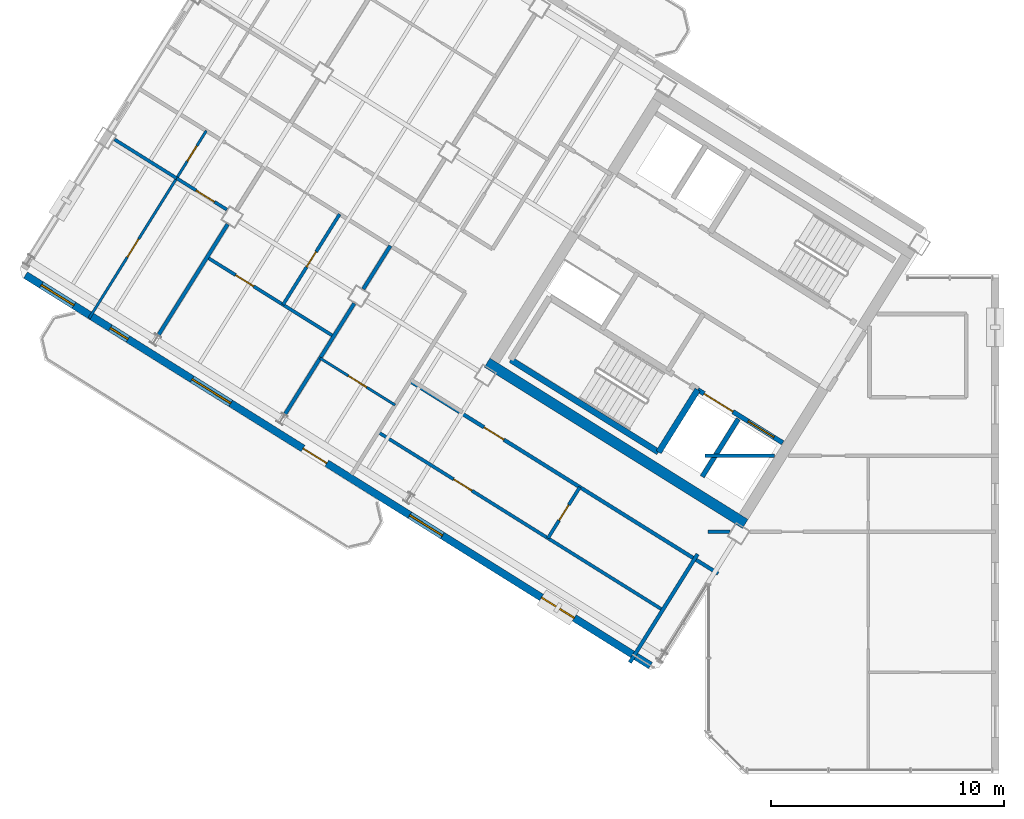
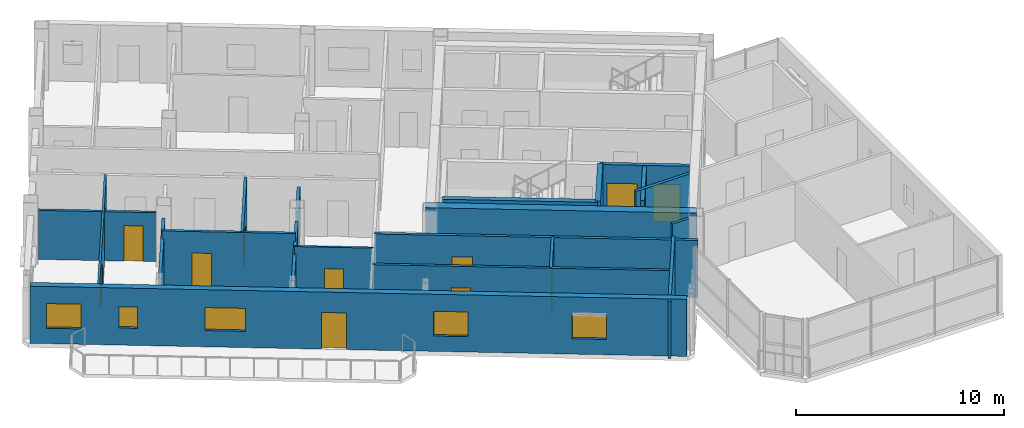
# One storey, part 8 of 15: 21 walls, 12 doors, 5 windows, 17 openings.
"""IFC4 building model written with IfcOpenShell, lengths in metres."""

from ifc_helpers import new_model, si_unit, direction, frame, frame_2d, origin, place, context, subcontext, project, spatial, rectangle, extrude, source, transform, mapped, material, layer, layer_set, type_object, element, fill, save


model = new_model("IFC4")

# Units and contexts
model_context = context("Model", 3, precision=1e-05, world=origin(), true_north=direction((0.0, 1.0)))
body_context = subcontext(model_context, "Body", "Model", "MODEL_VIEW")
ifc_project = project(units=[si_unit("LENGTHUNIT", "METRE"), si_unit("AREAUNIT", "SQUARE_METRE"), si_unit("VOLUMEUNIT", "CUBIC_METRE"), si_unit("PLANEANGLEUNIT", "RADIAN"), si_unit("MASSUNIT", "GRAM", prefix="KILO")], contexts=[model_context])

# Site, building, storey
site_placement = place(None, origin())
site = spatial("IfcSite", under=ifc_project, at=site_placement, CompositionType="ELEMENT")
building_placement = place(site_placement, origin())
building = spatial("IfcBuilding", under=site, at=building_placement, Name="Tlacorven Tower", CompositionType="ELEMENT")
storey_placement = place(building_placement, frame((0.0, 0.0, 266.39990234375)))
storey = spatial("IfcBuildingStorey", under=building, at=storey_placement, Name="L67", CompositionType="ELEMENT", Elevation=266.39990234375)

# Walls
ifc_material_1 = material(Name="Concrete C50/60", Category="concrete")
ifc_layer_1 = layer(ifc_material_1, 0.449951171875)
ifc_layer_set_1 = layer_set([ifc_layer_1], Name="Concrete C50/60")
wall_type_1 = type_object("IfcWallType", Name="WL-COR-450", PredefinedType="SHEAR", material=ifc_layer_set_1)
wall_1_placement = place(storey_placement, frame((33.32373046875, 12.5029296875, 0.0), z_axis=(0.0, 0.0, 1.0), x_axis=(-0.848043529849, 0.529926571782, 0.0)))
element("IfcWall", 1, at=wall_1_placement, inside=storey, type_object=wall_type_1, Name="L67 W core shear wall S2", PredefinedType="SHEAR", context=body_context, shape_type="SweptSolid", body=[
    extrude(rectangle(XDim=13.039794921875, YDim=0.449951171875, at=frame_2d((6.52001953125, 0.0))), origin(), (0.0, 0.0, 1.0), 3.35009765625),
])
ifc_material_2 = material(Name="Gypsum plasterboard acoustic partition", Category="gypsum")
ifc_layer_2 = layer(ifc_material_2, 0.159912109375)
ifc_layer_set_2 = layer_set([ifc_layer_2], Name="Gypsum plasterboard acoustic partition")
wall_type_2 = type_object("IfcWallType", Name="WL-DEM-160", PredefinedType="PARTITIONING", material=ifc_layer_set_2)
wall_2_placement = place(storey_placement, frame((18.114990234375, 24.423828125, 0.0), z_axis=(0.0, 0.0, 1.0), x_axis=(-0.529998940003, -0.847998304005, 0.0)))
element("IfcWall", 2, at=wall_2_placement, inside=storey, type_object=wall_type_2, Name="L67 WN Demising Wall 1", PredefinedType="PARTITIONING", context=body_context, shape_type="SweptSolid", body=[
    extrude(rectangle(XDim=2.18798828125, YDim=0.159912109375, at=frame_2d((1.093994140625, 0.0))), origin(), (0.0, 0.0, 1.0), 2.875),
])
for number, where, z_axis, x_axis, name in (
    (3, (16.57177734375, 21.954345703125, 0.0), (0.0, 0.0, 1.0), (-0.529904903214, -0.848057069748, 0.0), "L67 WN Demising Wall 1"),
    (4, (11.144287109375, 25.345947265625, 0.0), (0.0, 0.0, 1.0), (-0.529904903214, -0.848057069748, 0.0), "L67 WN Demising Wall 2"),
):
    element("IfcWall", number, at=place(storey_placement, frame(where, z_axis=z_axis, x_axis=x_axis)), inside=storey, type_object=wall_type_2, Name=name, PredefinedType="PARTITIONING", context=body_context, shape_type="SweptSolid", body=[
        extrude(rectangle(XDim=5.60107421875, YDim=0.159912109375, at=frame_2d((2.800537109375, 0.0))), origin(), (0.0, 0.0, 1.0), 2.875),
    ])

# Wall, opening, door
wall_3_placement = place(storey_placement, frame((32.164306640625, 10.373779296875, 0.0), z_axis=(0.0, 0.0, 1.0), x_axis=(-0.848044107957, 0.529925646633, 0.0)))
wall_3 = element("IfcWall", 5, at=wall_3_placement, inside=storey, type_object=wall_type_2, Name="L67 partition 44", PredefinedType="PARTITIONING", context=body_context, shape_type="SweptSolid", body=[
    extrude(rectangle(XDim=15.570068359375, YDim=0.159912109375, at=frame_2d((7.78515625, 0.0))), origin(), (0.0, 0.0, 1.0), 3.340087890625),
])
opening_1_placement = place(wall_3_placement, frame((10.830078125, 0.0, 0.0)))
opening_1 = element("IfcOpeningElement", 6, at=opening_1_placement, cuts=wall_3, Name="Opening D11", PredefinedType="OPENING", context=body_context, shape_type="SweptSolid", body=[
    extrude(rectangle(XDim=1.0, YDim=2.10009765625, at=frame_2d((0.5, 1.050048828125))), frame((0.0, 0.08984375, 0.0), z_axis=(0.0, -1.0, 0.0), x_axis=(1.0, 0.0, 0.0)), (0.0, 0.0, 1.0), 0.179931640625),
])
ifc_material_3 = material(Name="Fire-rated steel door assembly", Category="steel")
door_type_1 = type_object("IfcDoorType", Name="DR-FLT-FD60-1000", OperationType="NOTDEFINED", PredefinedType="DOOR", material=ifc_material_3)
shared_shape_1 = source(origin(), body_context, "Body", "SweptSolid", [
    extrude(rectangle(XDim=1.0, YDim=2.10009765625, at=frame_2d((0.5, 1.050048828125))), frame((0.0, 0.02490234375, 0.0), z_axis=(0.0, -1.0, 0.0), x_axis=(1.0, 0.0, 0.0)), (0.0, 0.0, 1.0), 0.050048828125),
])
door_1_placement = place(opening_1_placement, origin())
door_1 = element("IfcDoor", 7, at=door_1_placement, inside=storey, type_object=door_type_1, Name="L67 door 032", OperationType="SINGLE_SWING_LEFT", OverallHeight=2.10009765625, OverallWidth=1.0, PredefinedType="DOOR", context=body_context, shape_type="MappedRepresentation", body=[
    mapped(shared_shape_1, transform((0.0, 0.0, 0.0), scale=1.0)),
])
fill(opening_1, door_1)

# Walls
wall_4_placement = place(storey_placement, frame((31.282470703125, 11.2080078125, 0.0), z_axis=(0.0, 0.0, 1.0), x_axis=(-0.529938869374, -0.84803584519, 0.0)))
element("IfcWall", 8, at=wall_4_placement, inside=storey, type_object=wall_type_2, Name="L67 WC West Throat Wall", PredefinedType="PARTITIONING", context=body_context, shape_type="SweptSolid", body=[
    extrude(rectangle(XDim=5.47998046875, YDim=0.159912109375, at=frame_2d((2.739990234375, 0.0))), origin(), (0.0, 0.0, 1.0), 3.340087890625),
])
wall_5_placement = place(storey_placement, frame((31.60009765625, 15.419921875, 0.0), z_axis=(0.0, 0.0, 1.0), x_axis=(1.0, 0.0, 0.0)))
element("IfcWall", 9, at=wall_5_placement, inside=storey, type_object=wall_type_2, Name="L67 Knuckle Corridor South Wall", PredefinedType="PARTITIONING", context=body_context, shape_type="SweptSolid", body=[
    extrude(rectangle(XDim=2.984130859375, YDim=0.159912109375, at=frame_2d((1.4921875, 0.0))), origin(), (0.0, 0.0, 1.0), 3.340087890625),
])

# Wall, openings, door, windows
ifc_material_4 = material(Name="Precast concrete C45/55", Category="concrete")
ifc_layer_3 = layer(ifc_material_4, 0.320068359375)
ifc_layer_set_3 = layer_set([ifc_layer_3], Name="Precast concrete C45/55")
wall_type_3 = type_object("IfcWallType", Name="WL-EXT-320", PredefinedType="STANDARD", material=ifc_layer_set_3)
wall_6_placement = place(storey_placement, frame((29.267822265625, 6.429443359375, 0.0), z_axis=(0.0, 0.0, 1.0), x_axis=(-0.848049971435, 0.529916263149, 0.0)))
wall_6 = element("IfcWall", 10, at=wall_6_placement, inside=storey, type_object=wall_type_3, Name="L67 Masonry-Frame Recessed Facade Wall 2", PredefinedType="STANDARD", context=body_context, shape_type="SweptSolid", body=[
    extrude(rectangle(XDim=31.587646484375, YDim=0.320068359375, at=frame_2d((15.7939453125, 0.0))), origin(), (0.0, 0.0, 1.0), 3.35009765625),
])
opening_2_placement = place(wall_6_placement, frame((16.36181640625, 0.0, 0.0)))
opening_2 = element("IfcOpeningElement", 11, at=opening_2_placement, cuts=wall_6, Name="Opening D05", PredefinedType="OPENING", context=body_context, shape_type="SweptSolid", body=[
    extrude(rectangle(XDim=1.199951171875, YDim=2.14990234375, at=frame_2d((0.60009765625, 1.074951171875))), frame((0.0, 0.169921875, 0.0), z_axis=(0.0, -1.0, 0.0), x_axis=(1.0, 0.0, 0.0)), (0.0, 0.0, 1.0), 0.340087890625),
])
opening_3_placement = place(wall_6_placement, frame((3.858642578125, 0.0, 0.89990234375)))
opening_3 = element("IfcOpeningElement", 12, at=opening_3_placement, cuts=wall_6, Name="Opening WN07", PredefinedType="OPENING", context=body_context, shape_type="SweptSolid", body=[
    extrude(rectangle(XDim=1.64990234375, YDim=1.449951171875, at=frame_2d((0.824951171875, 0.72509765625))), frame((0.0, 0.169921875, 0.0), z_axis=(0.0, -1.0, 0.0), x_axis=(1.0, 0.0, 0.0)), (0.0, 0.0, 1.0), 0.340087890625),
])
opening_4_placement = place(wall_6_placement, frame((10.518798828125, 0.0, 0.89990234375)))
opening_4 = element("IfcOpeningElement", 13, at=opening_4_placement, cuts=wall_6, Name="Opening WN07", PredefinedType="OPENING", context=body_context, shape_type="SweptSolid", body=[
    extrude(rectangle(XDim=1.64990234375, YDim=1.449951171875, at=frame_2d((0.824951171875, 0.72509765625))), frame((0.0, 0.169921875, 0.0), z_axis=(0.0, -1.0, 0.0), x_axis=(1.0, 0.0, 0.0)), (0.0, 0.0, 1.0), 0.340087890625),
])
opening_5_placement = place(wall_6_placement, frame((21.21875, 0.0, 0.949951171875)))
opening_5 = element("IfcOpeningElement", 14, at=opening_5_placement, cuts=wall_6, Name="Opening WN09", PredefinedType="OPENING", context=body_context, shape_type="SweptSolid", body=[
    extrude(rectangle(XDim=1.949951171875, YDim=1.35009765625, at=frame_2d((0.97509765625, 0.675048828125))), frame((0.0, 0.169921875, 0.0), z_axis=(0.0, -1.0, 0.0), x_axis=(1.0, 0.0, 0.0)), (0.0, 0.0, 1.0), 0.340087890625),
])
opening_6_placement = place(wall_6_placement, frame((26.40625, 0.0, 1.0)))
opening_6 = element("IfcOpeningElement", 15, at=opening_6_placement, cuts=wall_6, Name="Opening WN05", PredefinedType="OPENING", context=body_context, shape_type="SweptSolid", body=[
    extrude(rectangle(XDim=0.89990234375, YDim=1.25, at=frame_2d((0.449951171875, 0.625))), frame((0.0, 0.169921875, 0.0), z_axis=(0.0, -1.0, 0.0), x_axis=(1.0, 0.0, 0.0)), (0.0, 0.0, 1.0), 0.340087890625),
])
opening_7_placement = place(wall_6_placement, frame((29.14306640625, 0.0, 0.89990234375)))
opening_7 = element("IfcOpeningElement", 16, at=opening_7_placement, cuts=wall_6, Name="Opening WN07", PredefinedType="OPENING", context=body_context, shape_type="SweptSolid", body=[
    extrude(rectangle(XDim=1.64990234375, YDim=1.449951171875, at=frame_2d((0.824951171875, 0.72509765625))), frame((0.0, 0.169921875, 0.0), z_axis=(0.0, -1.0, 0.0), x_axis=(1.0, 0.0, 0.0)), (0.0, 0.0, 1.0), 0.340087890625),
])
ifc_material_5 = material(Name="Powder-coated aluminium and timber door", Category="wood")
door_type_2 = type_object("IfcDoorType", Name="DR-EXT-BALC-1200", OperationType="NOTDEFINED", PredefinedType="DOOR", material=ifc_material_5)
shared_shape_2 = source(origin(), body_context, "Body", "SweptSolid", [
    extrude(rectangle(XDim=1.199951171875, YDim=2.14990234375, at=frame_2d((0.60009765625, 1.074951171875))), frame((0.0, 0.02490234375, 0.0), z_axis=(0.0, -1.0, 0.0), x_axis=(1.0, 0.0, 0.0)), (0.0, 0.0, 1.0), 0.050048828125),
])
door_2_placement = place(opening_2_placement, origin())
door_2 = element("IfcDoor", 17, at=door_2_placement, inside=storey, type_object=door_type_2, Name="L67 Outdoor Access Door BAL-L67-W-OUT", OperationType="SINGLE_SWING_LEFT", OverallHeight=2.14990234375, OverallWidth=1.199951171875, PredefinedType="DOOR", context=body_context, shape_type="MappedRepresentation", body=[
    mapped(shared_shape_2, transform((0.0, 0.0, 0.0), scale=1.0)),
])
fill(opening_2, door_2)
ifc_material_6 = material(Name="Dark solar low-E double glazing in anodised aluminium frame", Category="aluminium")
window_type_1 = type_object("IfcWindowType", Name="WN-APT-0900X1350", PartitioningType="SINGLE_PANEL", PredefinedType="WINDOW", material=ifc_material_6)
shared_shape_3 = source(origin(), body_context, "Body", "SweptSolid", [
    extrude(rectangle(XDim=0.89990234375, YDim=1.25, at=frame_2d((0.449951171875, 0.625))), frame((0.0, 0.030029296875, 0.0), z_axis=(0.0, -1.0, 0.0), x_axis=(1.0, 0.0, 0.0)), (0.0, 0.0, 1.0), 0.06005859375),
])
window_1_placement = place(opening_6_placement, origin())
window_1 = element("IfcWindow", 18, at=window_1_placement, inside=storey, type_object=window_type_1, Name="L67 Recessed Masonry-Frame Window L67-02.4", OverallHeight=1.25, OverallWidth=0.89990234375, PartitioningType="SINGLE_PANEL", PredefinedType="WINDOW", context=body_context, shape_type="MappedRepresentation", body=[
    mapped(shared_shape_3, transform((0.0, 0.0, 0.0), scale=1.0)),
])
fill(opening_6, window_1)
window_type_2 = type_object("IfcWindowType", Name="WN-APT-1650X1600", PartitioningType="SINGLE_PANEL", PredefinedType="WINDOW", material=ifc_material_6)
shared_shape_4 = source(origin(), body_context, "Body", "SweptSolid", [
    extrude(rectangle(XDim=1.64990234375, YDim=1.449951171875, at=frame_2d((0.824951171875, 0.72509765625))), frame((0.0, 0.030029296875, 0.0), z_axis=(0.0, -1.0, 0.0), x_axis=(1.0, 0.0, 0.0)), (0.0, 0.0, 1.0), 0.06005859375),
])
window_2_placement = place(opening_3_placement, origin())
window_2 = element("IfcWindow", 19, at=window_2_placement, inside=storey, type_object=window_type_2, Name="L67 Recessed Masonry-Frame Window L67-02.1", OverallHeight=1.449951171875, OverallWidth=1.64990234375, PartitioningType="SINGLE_PANEL", PredefinedType="WINDOW", context=body_context, shape_type="MappedRepresentation", body=[
    mapped(shared_shape_4, transform((0.0, 0.0, 0.0), scale=1.0)),
])
fill(opening_3, window_2)
window_3_placement = place(opening_4_placement, origin())
window_3 = element("IfcWindow", 20, at=window_3_placement, inside=storey, type_object=window_type_2, Name="L67 Recessed Masonry-Frame Window L67-02.2", OverallHeight=1.449951171875, OverallWidth=1.64990234375, PartitioningType="SINGLE_PANEL", PredefinedType="WINDOW", context=body_context, shape_type="MappedRepresentation", body=[
    mapped(shared_shape_4, transform((0.0, 0.0, 0.0), scale=1.0)),
])
fill(opening_4, window_3)
window_4_placement = place(opening_7_placement, origin())
window_4 = element("IfcWindow", 21, at=window_4_placement, inside=storey, type_object=window_type_2, Name="L67 Recessed Masonry-Frame Window L67-02.5", OverallHeight=1.449951171875, OverallWidth=1.64990234375, PartitioningType="SINGLE_PANEL", PredefinedType="WINDOW", context=body_context, shape_type="MappedRepresentation", body=[
    mapped(shared_shape_4, transform((0.0, 0.0, 0.0), scale=1.0)),
])
fill(opening_7, window_4)
window_type_3 = type_object("IfcWindowType", Name="WN-GAL-1950X1450", PartitioningType="SINGLE_PANEL", PredefinedType="WINDOW", material=ifc_material_6)
shared_shape_5 = source(origin(), body_context, "Body", "SweptSolid", [
    extrude(rectangle(XDim=1.949951171875, YDim=1.35009765625, at=frame_2d((0.97509765625, 0.675048828125))), frame((0.0, 0.030029296875, 0.0), z_axis=(0.0, -1.0, 0.0), x_axis=(1.0, 0.0, 0.0)), (0.0, 0.0, 1.0), 0.06005859375),
])
window_5_placement = place(opening_5_placement, origin())
window_5 = element("IfcWindow", 22, at=window_5_placement, inside=storey, type_object=window_type_3, Name="L67 Recessed Masonry-Frame Window L67-02.3", OverallHeight=1.35009765625, OverallWidth=1.949951171875, PartitioningType="SINGLE_PANEL", PredefinedType="WINDOW", context=body_context, shape_type="MappedRepresentation", body=[
    mapped(shared_shape_5, transform((0.0, 0.0, 0.0), scale=1.0)),
])
fill(opening_5, window_5)

# Wall, opening, door
ifc_material_7 = material(Name="Gypsum plasterboard partition", Category="gypsum")
ifc_layer_4 = layer(ifc_material_7, 0.110107421875)
ifc_layer_set_4 = layer_set([ifc_layer_4], Name="Gypsum plasterboard partition")
wall_type_4 = type_object("IfcWallType", Name="WL-INT-110", PredefinedType="PARTITIONING", material=ifc_layer_set_4)
wall_7_placement = place(storey_placement, frame((18.318115234375, 17.596923828125, 0.0), z_axis=(0.0, 0.0, 1.0), x_axis=(-0.848059820872, 0.529900500304, 0.0)))
wall_7 = element("IfcWall", 23, at=wall_7_placement, inside=storey, type_object=wall_type_4, Name="L67 partition 27", PredefinedType="PARTITIONING", context=body_context, shape_type="SweptSolid", body=[
    extrude(rectangle(XDim=3.7900390625, YDim=0.110107421875, at=frame_2d((1.89501953125, 0.0))), origin(), (0.0, 0.0, 1.0), 3.340087890625),
])
opening_8_placement = place(wall_7_placement, frame((1.43505859375, 0.0, 0.0)))
opening_8 = element("IfcOpeningElement", 24, at=opening_8_placement, cuts=wall_7, Name="Opening D12", PredefinedType="OPENING", context=body_context, shape_type="SweptSolid", body=[
    extrude(rectangle(XDim=0.919921875, YDim=2.080078125, at=frame_2d((0.4599609375, 1.0400390625))), frame((0.0, 0.06494140625, 0.0), z_axis=(0.0, -1.0, 0.0), x_axis=(1.0, 0.0, 0.0)), (0.0, 0.0, 1.0), 0.130126953125),
])
door_type_3 = type_object("IfcDoorType", Name="DR-INT-ROOM-0920", OperationType="NOTDEFINED", PredefinedType="DOOR", material=ifc_material_5)
shared_shape_6 = source(origin(), body_context, "Body", "SweptSolid", [
    extrude(rectangle(XDim=0.919921875, YDim=2.080078125, at=frame_2d((0.4599609375, 1.0400390625))), frame((0.0, 0.02490234375, 0.0), z_axis=(0.0, -1.0, 0.0), x_axis=(1.0, 0.0, 0.0)), (0.0, 0.0, 1.0), 0.050048828125),
])
door_3_placement = place(opening_8_placement, origin())
door_3 = element("IfcDoor", 25, at=door_3_placement, inside=storey, type_object=door_type_3, Name="L67 door 013", OperationType="SINGLE_SWING_RIGHT", OverallHeight=2.080078125, OverallWidth=0.919921875, PredefinedType="DOOR", context=body_context, shape_type="MappedRepresentation", body=[
    mapped(shared_shape_6, transform((0.0, 0.0, 0.0), scale=1.0)),
])
fill(opening_8, door_3)

# Wall, openings, doors
wall_8_placement = place(storey_placement, frame((10.22802734375, 29.35205078125, 0.0), z_axis=(0.0, 0.0, 1.0), x_axis=(-0.529917830441, -0.848048992088, 0.0)))
wall_8 = element("IfcWall", 26, at=wall_8_placement, inside=storey, type_object=wall_type_4, Name="L67 partition 31", PredefinedType="PARTITIONING", context=body_context, shape_type="SweptSolid", body=[
    extrude(rectangle(XDim=9.469970703125, YDim=0.110107421875, at=frame_2d((4.73486328125, 0.0))), origin(), (0.0, 0.0, 1.0), 3.340087890625),
])
opening_9_placement = place(wall_8_placement, frame((0.760009765625, 0.0, 0.0)))
opening_9 = element("IfcOpeningElement", 27, at=opening_9_placement, cuts=wall_8, Name="Opening D22", PredefinedType="OPENING", context=body_context, shape_type="SweptSolid", body=[
    extrude(rectangle(XDim=0.780029296875, YDim=2.050048828125, at=frame_2d((0.39013671875, 1.02490234375))), frame((0.0, 0.06494140625, 0.0), z_axis=(0.0, -1.0, 0.0), x_axis=(1.0, 0.0, 0.0)), (0.0, 0.0, 1.0), 0.130126953125),
])
opening_10_placement = place(wall_8_placement, frame((5.47509765625, 0.0, 0.0)))
opening_10 = element("IfcOpeningElement", 28, at=opening_10_placement, cuts=wall_8, Name="Opening D12", PredefinedType="OPENING", context=body_context, shape_type="SweptSolid", body=[
    extrude(rectangle(XDim=0.919921875, YDim=2.080078125, at=frame_2d((0.4599609375, 1.0400390625))), frame((0.0, 0.06494140625, 0.0), z_axis=(0.0, -1.0, 0.0), x_axis=(1.0, 0.0, 0.0)), (0.0, 0.0, 1.0), 0.130126953125),
])
door_type_4 = type_object("IfcDoorType", Name="DR-INT-WET-0780", OperationType="NOTDEFINED", PredefinedType="DOOR", material=ifc_material_5)
shared_shape_7 = source(origin(), body_context, "Body", "SweptSolid", [
    extrude(rectangle(XDim=0.780029296875, YDim=2.050048828125, at=frame_2d((0.39013671875, 1.02490234375))), frame((0.0, 0.02490234375, 0.0), z_axis=(0.0, -1.0, 0.0), x_axis=(1.0, 0.0, 0.0)), (0.0, 0.0, 1.0), 0.050048828125),
])
door_4_placement = place(opening_9_placement, origin())
door_4 = element("IfcDoor", 29, at=door_4_placement, inside=storey, type_object=door_type_4, Name="L67 door 020", OperationType="SINGLE_SWING_LEFT", OverallHeight=2.050048828125, OverallWidth=0.780029296875, PredefinedType="DOOR", context=body_context, shape_type="MappedRepresentation", body=[
    mapped(shared_shape_7, transform((0.0, 0.0, 0.0), scale=1.0)),
])
fill(opening_9, door_4)
door_5_placement = place(opening_10_placement, origin())
door_5 = element("IfcDoor", 30, at=door_5_placement, inside=storey, type_object=door_type_3, Name="L67 door 021", OperationType="SINGLE_SWING_RIGHT", OverallHeight=2.080078125, OverallWidth=0.919921875, PredefinedType="DOOR", context=body_context, shape_type="MappedRepresentation", body=[
    mapped(shared_shape_6, transform((0.0, 0.0, 0.0), scale=1.0)),
])
fill(opening_10, door_5)

# Wall, opening, door
ifc_material_8 = material(Name="Moisture-resistant gypsum plumbing wall", Category="gypsum")
ifc_layer_5 = layer(ifc_material_8, 0.139892578125)
ifc_layer_set_5 = layer_set([ifc_layer_5], Name="Moisture-resistant gypsum plumbing wall")
wall_type_5 = type_object("IfcWallType", Name="WL-PLM-140", PredefinedType="PLUMBINGWALL", material=ifc_layer_set_5)
wall_9_placement = place(storey_placement, frame((15.68798828125, 20.539794921875, 0.0), z_axis=(0.0, 0.0, 1.0), x_axis=(-0.848049732085, 0.529916646191, 0.0)))
wall_9 = element("IfcWall", 31, at=wall_9_placement, inside=storey, type_object=wall_type_5, Name="L67 partition 29", PredefinedType="PLUMBINGWALL", context=body_context, shape_type="SweptSolid", body=[
    extrude(rectangle(XDim=6.400146484375, YDim=0.139892578125, at=frame_2d((3.2001953125, 0.0))), origin(), (0.0, 0.0, 1.0), 3.340087890625),
])
opening_11_placement = place(wall_9_placement, frame((4.0400390625, 0.0, 0.0)))
opening_11 = element("IfcOpeningElement", 32, at=opening_11_placement, cuts=wall_9, Name="Opening D12", PredefinedType="OPENING", context=body_context, shape_type="SweptSolid", body=[
    extrude(rectangle(XDim=0.919921875, YDim=2.080078125, at=frame_2d((0.4599609375, 1.0400390625))), frame((0.0, 0.080078125, 0.0), z_axis=(0.0, -1.0, 0.0), x_axis=(1.0, 0.0, 0.0)), (0.0, 0.0, 1.0), 0.159912109375),
])
door_6_placement = place(opening_11_placement, origin())
door_6 = element("IfcDoor", 33, at=door_6_placement, inside=storey, type_object=door_type_3, Name="L67 door 015", OperationType="SINGLE_SWING_RIGHT", OverallHeight=2.080078125, OverallWidth=0.919921875, PredefinedType="DOOR", context=body_context, shape_type="MappedRepresentation", body=[
    mapped(shared_shape_6, transform((0.0, 0.0, 0.0), scale=1.0)),
])
fill(opening_11, door_6)

wall_10_placement = place(storey_placement, frame((15.94384765625, 25.780517578125, 0.0), z_axis=(0.0, 0.0, 1.0), x_axis=(-0.529917480809, -0.848049210561, 0.0)))
wall_10 = element("IfcWall", 34, at=wall_10_placement, inside=storey, type_object=wall_type_5, Name="L67 partition 30", PredefinedType="PLUMBINGWALL", context=body_context, shape_type="SweptSolid", body=[
    extrude(rectangle(XDim=4.580078125, YDim=0.139892578125, at=frame_2d((2.2900390625, 0.0))), origin(), (0.0, 0.0, 1.0), 3.340087890625),
])
opening_12_placement = place(wall_10_placement, frame((1.89990234375, 0.0, 0.0)))
opening_12 = element("IfcOpeningElement", 35, at=opening_12_placement, cuts=wall_10, Name="Opening D22", PredefinedType="OPENING", context=body_context, shape_type="SweptSolid", body=[
    extrude(rectangle(XDim=0.780029296875, YDim=2.050048828125, at=frame_2d((0.39013671875, 1.02490234375))), frame((0.0, 0.080078125, 0.0), z_axis=(0.0, -1.0, 0.0), x_axis=(1.0, 0.0, 0.0)), (0.0, 0.0, 1.0), 0.159912109375),
])
door_7_placement = place(opening_12_placement, origin())
door_7 = element("IfcDoor", 36, at=door_7_placement, inside=storey, type_object=door_type_4, Name="L67 door 016", OperationType="SINGLE_SWING_LEFT", OverallHeight=2.050048828125, OverallWidth=0.780029296875, PredefinedType="DOOR", context=body_context, shape_type="MappedRepresentation", body=[
    mapped(shared_shape_7, transform((0.0, 0.0, 0.0), scale=1.0)),
])
fill(opening_12, door_7)

wall_11_placement = place(storey_placement, frame((11.108642578125, 25.971923828125, 0.0), z_axis=(0.0, 0.0, 1.0), x_axis=(-0.848041534199, 0.529929765415, 0.0)))
wall_11 = element("IfcWall", 37, at=wall_11_placement, inside=storey, type_object=wall_type_5, Name="L67 partition 33", PredefinedType="PLUMBINGWALL", context=body_context, shape_type="SweptSolid", body=[
    extrude(rectangle(XDim=2.5380859375, YDim=0.139892578125, at=frame_2d((1.26904296875, 0.0))), origin(), (0.0, 0.0, 1.0), 2.875),
])
opening_13_placement = place(wall_11_placement, frame((0.6279296875, 0.0, 0.0)))
opening_13 = element("IfcOpeningElement", 38, at=opening_13_placement, cuts=wall_11, Name="Opening D12", PredefinedType="OPENING", context=body_context, shape_type="SweptSolid", body=[
    extrude(rectangle(XDim=0.919921875, YDim=2.080078125, at=frame_2d((0.4599609375, 1.0400390625))), frame((0.0, 0.080078125, 0.0), z_axis=(0.0, -1.0, 0.0), x_axis=(1.0, 0.0, 0.0)), (0.0, 0.0, 1.0), 0.159912109375),
])
door_8_placement = place(opening_13_placement, origin())
door_8 = element("IfcDoor", 39, at=door_8_placement, inside=storey, type_object=door_type_3, Name="L67 door 019", OperationType="SINGLE_SWING_RIGHT", OverallHeight=2.080078125, OverallWidth=0.919921875, PredefinedType="DOOR", context=body_context, shape_type="MappedRepresentation", body=[
    mapped(shared_shape_6, transform((0.0, 0.0, 0.0), scale=1.0)),
])
fill(opening_13, door_8)

# Wall
wall_12_placement = place(storey_placement, frame((8.956298828125, 27.31689453125, 0.0), z_axis=(0.0, 0.0, 1.0), x_axis=(-0.848050751193, 0.529915015264, 0.0)))
element("IfcWall", 40, at=wall_12_placement, inside=storey, type_object=wall_type_5, Name="L67 partition 34", PredefinedType="PLUMBINGWALL", context=body_context, shape_type="SweptSolid", body=[
    extrude(rectangle(XDim=3.137939453125, YDim=0.139892578125, at=frame_2d((1.56884765625, 0.0))), origin(), (0.0, 0.0, 1.0), 2.875),
])

# Wall, opening, door
wall_13_placement = place(storey_placement, frame((29.72021484375, 8.85888671875, 0.0), z_axis=(0.0, 0.0, 1.0), x_axis=(-0.848049134363, 0.529917602752, 0.0)))
wall_13 = element("IfcWall", 41, at=wall_13_placement, inside=storey, type_object=wall_type_5, Name="L67 partition 46", PredefinedType="PLUMBINGWALL", context=body_context, shape_type="SweptSolid", body=[
    extrude(rectangle(XDim=14.300048828125, YDim=0.139892578125, at=frame_2d((7.14990234375, 0.0))), origin(), (0.0, 0.0, 1.0), 3.340087890625),
])
opening_14_placement = place(wall_13_placement, frame((9.570068359375, 0.0, 0.0)))
opening_14 = element("IfcOpeningElement", 42, at=opening_14_placement, cuts=wall_13, Name="Opening D12", PredefinedType="OPENING", context=body_context, shape_type="SweptSolid", body=[
    extrude(rectangle(XDim=0.919921875, YDim=2.080078125, at=frame_2d((0.4599609375, 1.0400390625))), frame((0.0, 0.080078125, 0.0), z_axis=(0.0, -1.0, 0.0), x_axis=(1.0, 0.0, 0.0)), (0.0, 0.0, 1.0), 0.159912109375),
])
door_9_placement = place(opening_14_placement, origin())
door_9 = element("IfcDoor", 43, at=door_9_placement, inside=storey, type_object=door_type_3, Name="L67 door 033", OperationType="SINGLE_SWING_RIGHT", OverallHeight=2.080078125, OverallWidth=0.919921875, PredefinedType="DOOR", context=body_context, shape_type="MappedRepresentation", body=[
    mapped(shared_shape_6, transform((0.0, 0.0, 0.0), scale=1.0)),
])
fill(opening_14, door_9)

wall_14_placement = place(storey_placement, frame((26.236572265625, 14.077880859375, 0.0), z_axis=(0.0, 0.0, 1.0), x_axis=(-0.52995640672, -0.848024885824, 0.0)))
wall_14 = element("IfcWall", 44, at=wall_14_placement, inside=storey, type_object=wall_type_5, Name="L67 partition 47", PredefinedType="PLUMBINGWALL", context=body_context, shape_type="SweptSolid", body=[
    extrude(rectangle(XDim=2.579833984375, YDim=0.139892578125, at=frame_2d((1.2900390625, 0.0))), origin(), (0.0, 0.0, 1.0), 3.340087890625),
])
opening_15_placement = place(wall_14_placement, frame((0.89990234375, 0.0, 0.0)))
opening_15 = element("IfcOpeningElement", 45, at=opening_15_placement, cuts=wall_14, Name="Opening D22", PredefinedType="OPENING", context=body_context, shape_type="SweptSolid", body=[
    extrude(rectangle(XDim=0.780029296875, YDim=2.050048828125, at=frame_2d((0.39013671875, 1.02490234375))), frame((0.0, 0.080078125, 0.0), z_axis=(0.0, -1.0, 0.0), x_axis=(1.0, 0.0, 0.0)), (0.0, 0.0, 1.0), 0.159912109375),
])
door_10_placement = place(opening_15_placement, origin())
door_10 = element("IfcDoor", 46, at=door_10_placement, inside=storey, type_object=door_type_4, Name="L67 door 034", OperationType="SINGLE_SWING_LEFT", OverallHeight=2.050048828125, OverallWidth=0.780029296875, PredefinedType="DOOR", context=body_context, shape_type="MappedRepresentation", body=[
    mapped(shared_shape_7, transform((0.0, 0.0, 0.0), scale=1.0)),
])
fill(opening_15, door_10)

# Wall
wall_15_placement = place(storey_placement, frame((31.739990234375, 12.169921875, 0.0), z_axis=(0.0, 0.0, 1.0), x_axis=(1.0, 0.0, 0.0)))
element("IfcWall", 47, at=wall_15_placement, inside=storey, type_object=wall_type_5, Name="L67 partition 55", PredefinedType="PLUMBINGWALL", context=body_context, shape_type="SweptSolid", body=[
    extrude(rectangle(XDim=0.93115234375, YDim=0.139892578125, at=frame_2d((0.465576171875, 0.0))), origin(), (0.0, 0.0, 1.0), 3.340087890625),
])

# Wall, openings, doors
ifc_material_9 = material(Name="Concrete C40/50", Category="concrete")
ifc_layer_6 = layer(ifc_material_9, 0.199951171875)
ifc_layer_set_6 = layer_set([ifc_layer_6], Name="Concrete C40/50")
wall_type_6 = type_object("IfcWallType", Name="WL-SHF-200", PredefinedType="STANDARD", material=ifc_layer_set_6)
wall_16_placement = place(storey_placement, frame((34.93310546875, 15.978271484375, 0.0), z_axis=(0.0, 0.0, 1.0), x_axis=(-0.848055739377, 0.529907032327, 0.0)))
wall_16 = element("IfcWall", 48, at=wall_16_placement, inside=storey, type_object=wall_type_6, Name="L67 Core W Firefighting Lift Shaft Front Wall", PredefinedType="STANDARD", context=body_context, shape_type="SweptSolid", body=[
    extrude(rectangle(XDim=4.298095703125, YDim=0.199951171875, at=frame_2d((2.14892578125, 0.0))), origin(), (0.0, 0.0, 1.0), 3.340087890625),
])
opening_16_placement = place(wall_16_placement, frame((0.447998046875, 0.0, 0.0)))
opening_16 = element("IfcOpeningElement", 49, at=opening_16_placement, cuts=wall_16, Name="Opening LD03", PredefinedType="OPENING", context=body_context, shape_type="SweptSolid", body=[
    extrude(rectangle(XDim=1.300048828125, YDim=2.199951171875, at=frame_2d((0.64990234375, 1.10009765625))), frame((0.0, 0.10986328125, 0.0), z_axis=(0.0, -1.0, 0.0), x_axis=(1.0, 0.0, 0.0)), (0.0, 0.0, 1.0), 0.219970703125),
])
opening_17_placement = place(wall_16_placement, frame((2.52294921875, 0.0, 0.0)))
opening_17 = element("IfcOpeningElement", 50, at=opening_17_placement, cuts=wall_16, Name="Opening LD04", PredefinedType="OPENING", context=body_context, shape_type="SweptSolid", body=[
    extrude(rectangle(XDim=1.449951171875, YDim=2.25, at=frame_2d((0.72509765625, 1.125))), frame((0.0, 0.10986328125, 0.0), z_axis=(0.0, -1.0, 0.0), x_axis=(1.0, 0.0, 0.0)), (0.0, 0.0, 1.0), 0.219970703125),
])
door_type_5 = type_object("IfcDoorType", Name="DR-LFT-SLID-1300", OperationType="DOUBLE_DOOR_SLIDING", PredefinedType="DOOR", material=ifc_material_3)
shared_shape_8 = source(origin(), body_context, "Body", "SweptSolid", [
    extrude(rectangle(XDim=1.300048828125, YDim=2.199951171875, at=frame_2d((0.64990234375, 1.10009765625))), frame((0.0, 0.02490234375, 0.0), z_axis=(0.0, -1.0, 0.0), x_axis=(1.0, 0.0, 0.0)), (0.0, 0.0, 1.0), 0.050048828125),
])
door_11_placement = place(opening_16_placement, origin())
door_11 = element("IfcDoor", 51, at=door_11_placement, inside=storey, type_object=door_type_5, Name="L67 Lift FFL-W1 Sliding Landing Door", OperationType="DOUBLE_DOOR_SLIDING", OverallHeight=2.199951171875, OverallWidth=1.300048828125, PredefinedType="DOOR", context=body_context, shape_type="MappedRepresentation", body=[
    mapped(shared_shape_8, transform((0.0, 0.0, 0.0), scale=1.0)),
])
fill(opening_16, door_11)
door_type_6 = type_object("IfcDoorType", Name="DR-LFT-SLID-1450", OperationType="DOUBLE_DOOR_SLIDING", PredefinedType="DOOR", material=ifc_material_3)
shared_shape_9 = source(origin(), body_context, "Body", "SweptSolid", [
    extrude(rectangle(XDim=1.449951171875, YDim=2.25, at=frame_2d((0.72509765625, 1.125))), frame((0.0, 0.02490234375, 0.0), z_axis=(0.0, -1.0, 0.0), x_axis=(1.0, 0.0, 0.0)), (0.0, 0.0, 1.0), 0.050048828125),
])
door_12_placement = place(opening_17_placement, origin())
door_12 = element("IfcDoor", 52, at=door_12_placement, inside=storey, type_object=door_type_6, Name="L67 Lift SVL-W1 Sliding Landing Door", OperationType="DOUBLE_DOOR_SLIDING", OverallHeight=2.25, OverallWidth=1.449951171875, PredefinedType="DOOR", context=body_context, shape_type="MappedRepresentation", body=[
    mapped(shared_shape_9, transform((0.0, 0.0, 0.0), scale=1.0)),
])
fill(opening_17, door_12)

# Walls
wall_17_placement = place(storey_placement, frame((33.02880859375, 17.003173828125, 0.0), z_axis=(0.0, 0.0, 1.0), x_axis=(-0.529916267533, -0.848049968695, 0.0)))
element("IfcWall", 53, at=wall_17_placement, inside=storey, type_object=wall_type_6, Name="L67 partition 11", PredefinedType="STANDARD", context=body_context, shape_type="SweptSolid", body=[
    extrude(rectangle(XDim=2.919921875, YDim=0.199951171875, at=frame_2d((1.4599609375, 0.0))), origin(), (0.0, 0.0, 1.0), 3.340087890625),
])
ifc_layer_7 = layer(ifc_material_1, 0.260009765625)
ifc_layer_set_7 = layer_set([ifc_layer_7], Name="Concrete C50/60")
wall_type_7 = type_object("IfcWallType", Name="WL-STW-260", PredefinedType="SHEAR", material=ifc_layer_set_7)
wall_18_placement = place(storey_placement, frame((29.60498046875, 15.581298828125, 0.0), z_axis=(0.0, 0.0, 1.0), x_axis=(-0.848036911448, 0.529937163087, 0.0)))
element("IfcWall", 54, at=wall_18_placement, inside=storey, type_object=wall_type_7, Name="L67 Stair W1 Far Shear Wall", PredefinedType="SHEAR", context=body_context, shape_type="SweptSolid", body=[
    extrude(rectangle(XDim=7.4599609375, YDim=0.260009765625, at=frame_2d((3.72998046875, 0.0))), origin(), (0.0, 0.0, 1.0), 3.35009765625),
])
wall_19_placement = place(storey_placement, frame((31.2880859375, 18.255859375, 0.0), z_axis=(0.0, 0.0, 1.0), x_axis=(-0.529943379326, -0.848033026897, 0.0)))
element("IfcWall", 55, at=wall_19_placement, inside=storey, type_object=wall_type_7, Name="L67 Stair W1 West Shear Wall", PredefinedType="SHEAR", context=body_context, shape_type="SweptSolid", body=[
    extrude(rectangle(XDim=3.159912109375, YDim=0.260009765625, at=frame_2d((1.580078125, 0.0))), origin(), (0.0, 0.0, 1.0), 3.35009765625),
])

save(model, "model.ifc")
